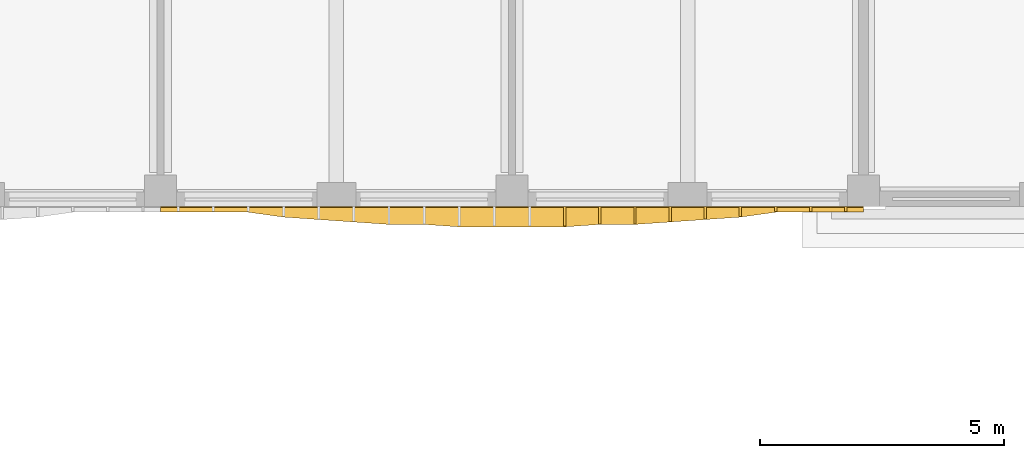
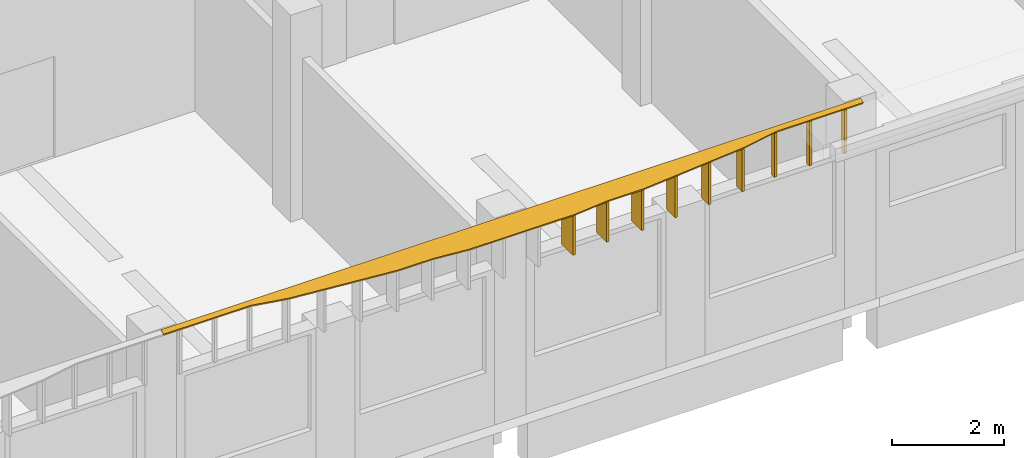
# One storey, part 51 of 58: 10 shading devices.
"""IFC4 building model written with IfcOpenShell, lengths in metres."""

from ifc_helpers import new_model, si_unit, direction, frame, origin, place, context, subcontext, project, spatial, polyline, outline, extrude, material, layer, layer_set, type_object, element, save


model = new_model("IFC4")

# Units and contexts
model_context = context("Model", 3, precision=1e-05, world=origin(), true_north=direction((0.0, 1.0)))
body_context = subcontext(model_context, "Body", "Model", "MODEL_VIEW")
ifc_project = project(units=[si_unit("LENGTHUNIT", "METRE"), si_unit("AREAUNIT", "SQUARE_METRE"), si_unit("VOLUMEUNIT", "CUBIC_METRE"), si_unit("PLANEANGLEUNIT", "RADIAN"), si_unit("MASSUNIT", "GRAM", prefix="KILO")], contexts=[model_context])

# Site, building, storey
site_placement = place(None, origin())
site = spatial("IfcSite", under=ifc_project, at=site_placement, CompositionType="ELEMENT")
building_placement = place(site_placement, origin())
building = spatial("IfcBuilding", under=site, at=building_placement, Name="Ussher Court Research Institute", CompositionType="ELEMENT")
storey_placement = place(building_placement, frame((0.0, 0.0, 9.89990234375)))
storey = spatial("IfcBuildingStorey", under=building, at=storey_placement, Name="L02", CompositionType="ELEMENT", Elevation=9.89990234375)

# Shading devices
ifc_material_1 = material(Name="Bronze anodised aluminium", Category="aluminium")
ifc_layer_1 = layer(ifc_material_1, 0.050048828125)
ifc_layer_set_1 = layer_set([ifc_layer_1], Name="Bronze anodised aluminium")
shading_device_type_1 = type_object("IfcShadingDeviceType", Name="Brim blade 100 mm deep 1000 mm high canted 20 deg dry", PredefinedType="USERDEFINED", material=ifc_layer_set_1)
for number, where, z_axis, x_axis, name in (
    (1, (81.840087890625, 68.39990234375, 3.4501953125), (0.0, 0.0, 1.0), (0.0, -1.0, 0.0), "Brim blade BS17 L02"),
    (2, (81.1201171875, 68.39990234375, 3.4501953125), (0.0, 0.0, 1.0), (0.0, -1.0, 0.0), "Brim blade BS17 L02"),
    (3, (80.39990234375, 68.39990234375, 3.4501953125), (0.0, 0.0, 1.0), (0.0, -1.0, 0.0), "Brim blade BS17 L02"),
):
    element("IfcShadingDevice", number, at=place(storey_placement, frame(where, z_axis=z_axis, x_axis=x_axis)), inside=storey, type_object=shading_device_type_1, Name=name, ObjectType="BLADE", PredefinedType="USERDEFINED", context=body_context, shape_type="SweptSolid", body=[
        extrude(outline(polyline([(0.0, 0.0), (0.099853515625, 0.0), (0.10009765625, 0.963623046875), (0.0, 1.0), (0.0, 0.0)])), frame((0.0, 0.02490234375, 0.0), z_axis=(0.0, -1.0, 0.0), x_axis=(1.0, 0.0, 0.0)), (0.0, 0.0, 1.0), 0.050048828125),
    ])
ifc_material_2 = material(Name="Bronze anodised aluminium", Category="aluminium")
ifc_layer_2 = layer(ifc_material_2, 0.050048828125)
ifc_layer_set_2 = layer_set([ifc_layer_2], Name="Bronze anodised aluminium")
shading_device_type_2 = type_object("IfcShadingDeviceType", Name="Brim blade 200 mm deep 1000 mm high canted 20 deg dry", PredefinedType="USERDEFINED", material=ifc_layer_set_2)
shading_device_1_placement = place(storey_placement, frame((79.679931640625, 68.39990234375, 3.4501953125), z_axis=(0.0, 0.0, 1.0), x_axis=(0.0, -1.0, 0.0)))
element("IfcShadingDevice", 4, at=shading_device_1_placement, inside=storey, type_object=shading_device_type_2, Name="Brim blade BS15 L02", ObjectType="BLADE", PredefinedType="USERDEFINED", context=body_context, shape_type="SweptSolid", body=[
    extrude(outline(polyline([(0.0, 0.0), (0.199951171875, 0.0), (0.199951171875, 0.927001953125), (0.0, 1.0), (0.0, 0.0)])), frame((0.0, 0.02490234375, 0.0), z_axis=(0.0, -1.0, 0.0), x_axis=(1.0, 0.0, 0.0)), (0.0, 0.0, 1.0), 0.050048828125),
])
ifc_material_3 = material(Name="Bronze anodised aluminium", Category="aluminium")
ifc_layer_3 = layer(ifc_material_3, 0.050048828125)
ifc_layer_set_3 = layer_set([ifc_layer_3], Name="Bronze anodised aluminium")
shading_device_type_3 = type_object("IfcShadingDeviceType", Name="Brim blade 250 mm deep 1000 mm high canted 20 deg dry", PredefinedType="USERDEFINED", material=ifc_layer_set_3)
shading_device_2_placement = place(storey_placement, frame((78.9599609375, 68.39990234375, 3.4501953125), z_axis=(0.0, 0.0, 1.0), x_axis=(0.0, -1.0, 0.0)))
element("IfcShadingDevice", 5, at=shading_device_2_placement, inside=storey, type_object=shading_device_type_3, Name="Brim blade BS14 L02", ObjectType="BLADE", PredefinedType="USERDEFINED", context=body_context, shape_type="SweptSolid", body=[
    extrude(outline(polyline([(0.0, 0.0), (0.25, 0.0), (0.25, 0.908935546875), (0.0, 1.0), (0.0, 0.0)])), frame((0.0, 0.02490234375, 0.0), z_axis=(0.0, -1.0, 0.0), x_axis=(1.0, 0.0, 0.0)), (0.0, 0.0, 1.0), 0.050048828125),
])
ifc_material_4 = material(Name="Bronze anodised aluminium", Category="aluminium")
ifc_layer_4 = layer(ifc_material_4, 0.050048828125)
ifc_layer_set_4 = layer_set([ifc_layer_4], Name="Bronze anodised aluminium")
shading_device_type_4 = type_object("IfcShadingDeviceType", Name="Brim blade 300 mm deep 1000 mm high canted 20 deg dry", PredefinedType="USERDEFINED", material=ifc_layer_set_4)
shading_device_3_placement = place(storey_placement, frame((78.239990234375, 68.39990234375, 3.4501953125), z_axis=(0.0, 0.0, 1.0), x_axis=(0.0, -1.0, 0.0)))
element("IfcShadingDevice", 6, at=shading_device_3_placement, inside=storey, type_object=shading_device_type_4, Name="Brim blade BS13 L02", ObjectType="BLADE", PredefinedType="USERDEFINED", context=body_context, shape_type="SweptSolid", body=[
    extrude(outline(polyline([(0.0, 0.0), (0.2998046875, 0.0), (0.300048828125, 0.890625), (0.0, 1.0), (0.0, 0.0)])), frame((0.0, 0.02490234375, 0.0), z_axis=(0.0, -1.0, 0.0), x_axis=(1.0, 0.0, 0.0)), (0.0, 0.0, 1.0), 0.050048828125),
])
ifc_material_5 = material(Name="Bronze anodised aluminium", Category="aluminium")
ifc_layer_5 = layer(ifc_material_5, 0.050048828125)
ifc_layer_set_5 = layer_set([ifc_layer_5], Name="Bronze anodised aluminium")
shading_device_type_5 = type_object("IfcShadingDeviceType", Name="Brim blade 350 mm deep 1000 mm high canted 20 deg dry", PredefinedType="USERDEFINED", material=ifc_layer_set_5)
for number, where, z_axis, x_axis, name in (
    (7, (77.52001953125, 68.39990234375, 3.4501953125), (0.0, 0.0, 1.0), (0.0, -1.0, 0.0), "Brim blade BS12 L02"),
    (8, (76.800048828125, 68.39990234375, 3.4501953125), (0.0, 0.0, 1.0), (0.0, -1.0, 0.0), "Brim blade BS12 L02"),
):
    element("IfcShadingDevice", number, at=place(storey_placement, frame(where, z_axis=z_axis, x_axis=x_axis)), inside=storey, type_object=shading_device_type_5, Name=name, ObjectType="BLADE", PredefinedType="USERDEFINED", context=body_context, shape_type="SweptSolid", body=[
        extrude(outline(polyline([(0.0, 0.0), (0.349853515625, 0.0), (0.35009765625, 0.87255859375), (0.0, 1.0), (0.0, 0.0)])), frame((0.0, 0.02490234375, 0.0), z_axis=(0.0, -1.0, 0.0), x_axis=(1.0, 0.0, 0.0)), (0.0, 0.0, 1.0), 0.050048828125),
    ])
ifc_material_6 = material(Name="Bronze anodised aluminium", Category="aluminium")
ifc_layer_6 = layer(ifc_material_6, 0.050048828125)
ifc_layer_set_6 = layer_set([ifc_layer_6], Name="Bronze anodised aluminium")
shading_device_type_6 = type_object("IfcShadingDeviceType", Name="Brim blade 400 mm deep 1000 mm high canted 20 deg dry", PredefinedType="USERDEFINED", material=ifc_layer_set_6)
shading_device_4_placement = place(storey_placement, frame((76.080078125, 68.39990234375, 3.4501953125), z_axis=(0.0, 0.0, 1.0), x_axis=(0.0, -1.0, 0.0)))
element("IfcShadingDevice", 9, at=shading_device_4_placement, inside=storey, type_object=shading_device_type_6, Name="Brim blade BS11 L02", ObjectType="BLADE", PredefinedType="USERDEFINED", context=body_context, shape_type="SweptSolid", body=[
    extrude(outline(polyline([(0.0, 0.0), (0.39990234375, 0.0), (0.39990234375, 0.854248046875), (0.0, 1.0), (0.0, 0.0)])), frame((0.0, 0.02490234375, 0.0), z_axis=(0.0, -1.0, 0.0), x_axis=(1.0, 0.0, 0.0)), (0.0, 0.0, 1.0), 0.050048828125),
])
ifc_material_7 = material(Name="Bronze anodised aluminium", Category="aluminium")
ifc_layer_7 = layer(ifc_material_7, 0.0400390625)
ifc_layer_set_7 = layer_set([ifc_layer_7], Name="Bronze anodised aluminium")
shading_device_type_7 = type_object("IfcShadingDeviceType", Name="Brim visor sheet 40 mm canted 20 deg dry", PredefinedType="USERDEFINED", material=ifc_layer_set_7)
shading_device_5_placement = place(storey_placement, frame((82.199951171875, 68.38623046875, 4.48779296875), z_axis=(0.0, -0.342400475787, 0.939554103913), x_axis=(-1.0, 0.0, 0.0)))
element("IfcShadingDevice", 10, at=shading_device_5_placement, inside=storey, type_object=shading_device_type_7, Name="Brim visor sheet BR2 L02", ObjectType="BRIM", PredefinedType="USERDEFINED", context=body_context, shape_type="SweptSolid", body=[
    extrude(outline(polyline([(0.0, 0.0), (14.39990234375, 0.0), (14.39990234375, 0.10627326645334817), (14.0400390625, 0.10627326645334817), (13.320068359375, 0.10627326645334817), (12.599853515625, 0.10627326645334817), (11.8798828125, 0.21285951009900608), (11.159912109375, 0.26606903805567605), (10.43994140625, 0.319362159878505), (9.719970703125, 0.3723423045090242), (9.0, 0.3723423045090242), (8.280029296875, 0.4256354263318532), (7.56005859375, 0.4256354263318532), (6.83984375, 0.4256354263318532), (6.119873046875, 0.4256354263318532), (5.39990234375, 0.3723423045090242), (4.679931640625, 0.3723423045090242), (3.9599609375, 0.319362159878505), (3.239990234375, 0.26606903805567605), (2.52001953125, 0.21285951009900608), (1.800048828125, 0.10627326645334817), (1.079833984375, 0.10627326645334817), (0.35986328125, 0.10627326645334817), (0.0, 0.10627326645334817), (0.0, 0.0)])), origin(), (0.0, 0.0, -1.0), 0.0400390625),
])

save(model, "model.ifc")
